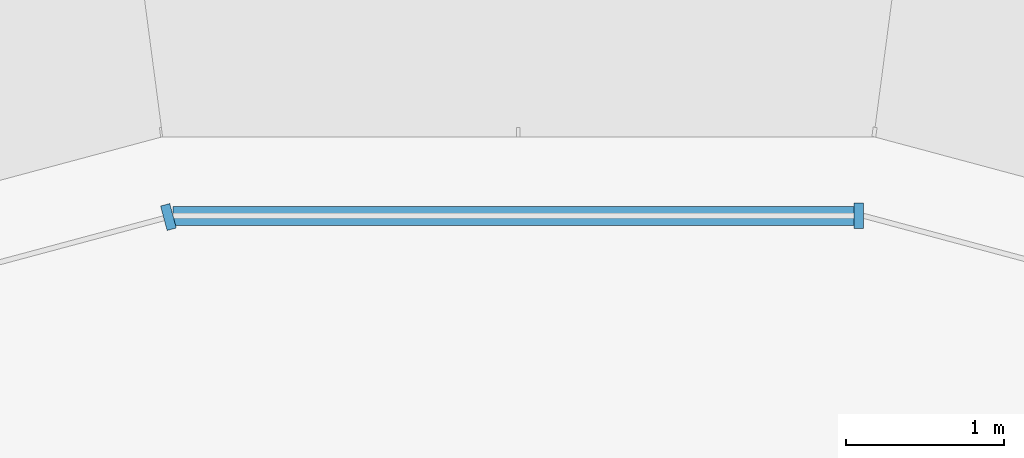
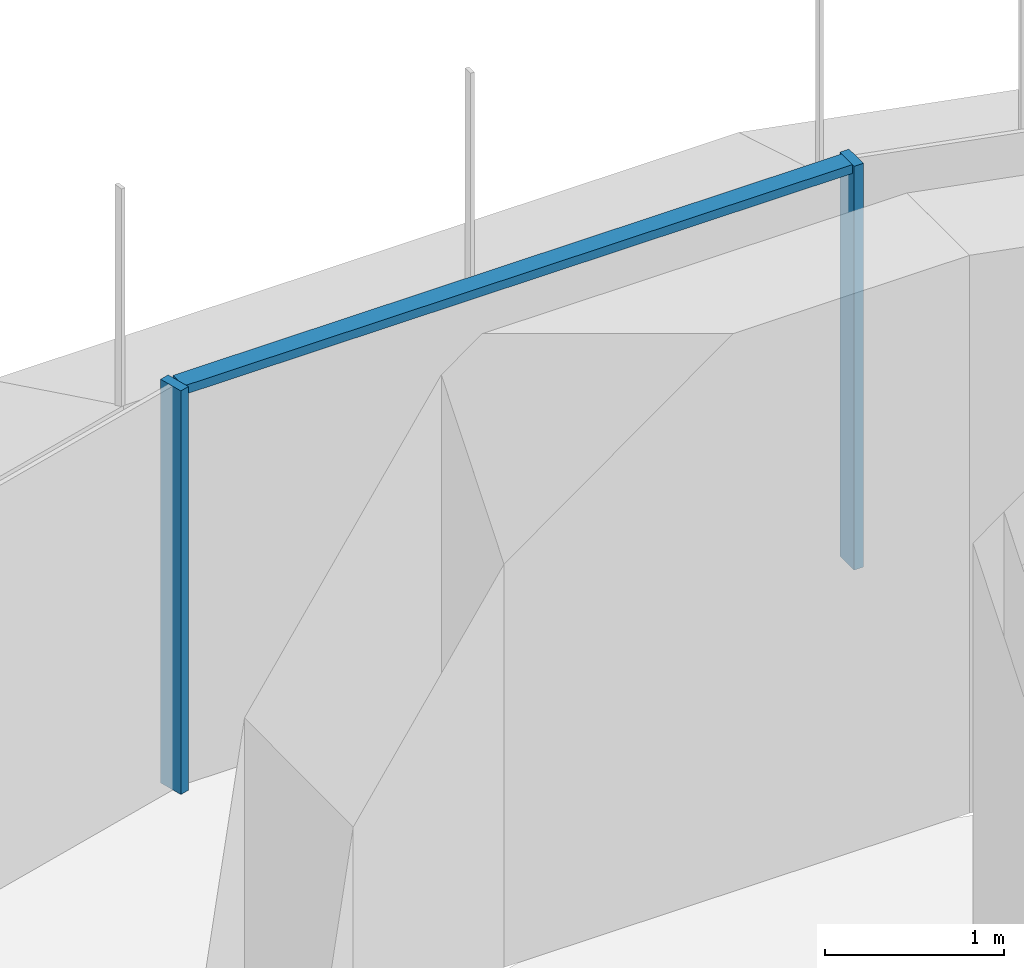
# One storey, part 11 of 20: 3 members, 2 elements without a shape of their own.
"""IFC4 building model written with IfcOpenShell, lengths in metres."""

from ifc_helpers import new_model, si_unit, direction, frame, origin, place, context, subcontext, project, spatial, polyline, outline, extrude, source, transform, mapped, material, type_object, element, aggregate, save


model = new_model("IFC4")

# Units and contexts
model_context = context("Model", 3, precision=1e-05, world=origin(), true_north=direction((0.0, 1.0)))
body_context = subcontext(model_context, "Body", "Model", "MODEL_VIEW")
ifc_project = project(units=[si_unit("LENGTHUNIT", "METRE"), si_unit("AREAUNIT", "SQUARE_METRE"), si_unit("VOLUMEUNIT", "CUBIC_METRE"), si_unit("PLANEANGLEUNIT", "RADIAN"), si_unit("MASSUNIT", "GRAM", prefix="KILO")], contexts=[model_context])

# Site, building, storey
site_placement = place(None, origin())
site = spatial("IfcSite", under=ifc_project, at=site_placement, CompositionType="ELEMENT")
building_placement = place(site_placement, origin())
building = spatial("IfcBuilding", under=site, at=building_placement, Name="Zarbagh Exchange Tower", CompositionType="ELEMENT")
storey_placement = place(building_placement, frame((0.0, 0.0, 141.0)))
storey = spatial("IfcBuildingStorey", under=building, at=storey_placement, Name="L33", CompositionType="ELEMENT", Elevation=141.0)

# Curtain wall, member
ifc_material_1 = material(Name="Anodised aluminium frame and glazing", Category="aluminium")
curtain_wall_type = type_object("IfcCurtainWallType", Name="CWB Ribbon glazing, upper zones", PredefinedType="NOTDEFINED", material=ifc_material_1)
curtain_wall_1_placement = place(storey_placement, origin())
curtain_wall_1 = element("IfcCurtainWall", 1, at=curtain_wall_1_placement, inside=storey, type_object=curtain_wall_type, Name="CWB24 curtain wall", PredefinedType="NOTDEFINED")
ifc_material_2 = material(Name="Anodised aluminium frame", Category="aluminium")
member_type_1 = type_object("IfcMemberType", Name="MUB Mullion, anodised aluminium frame", PredefinedType="MULLION", material=ifc_material_2)
shared_shape_1 = source(origin(), body_context, "Body", "SweptSolid", [
    extrude(outline(polyline([(0.0, -0.080078125), (0.06005859375, -0.080078125), (0.06005859375, 0.080078125), (0.0, 0.080078125), (0.0, -0.080078125)])), origin(), (0.0, 0.0, 1.0), 2.75),
])
placement = place(storey_placement, origin())
member_1 = element("IfcMember", 2, at=placement, type_object=member_type_1, Name="CWB24 mullion 1.1", PredefinedType="MULLION", context=body_context, shape_type="MappedRepresentation", body=[
    mapped(shared_shape_1, transform((2.18408203125, 31.0, 0.0), x_axis=(-1.0, 0.0, 0.0), y_axis=(0.0, -1.0, 0.0), z_axis=(0.0, 0.0, 1.0))),
])

curtain_wall_2_placement = place(storey_placement, origin())
curtain_wall_2 = element("IfcCurtainWall", 3, at=curtain_wall_2_placement, inside=storey, type_object=curtain_wall_type, Name="CWB25 curtain wall", PredefinedType="NOTDEFINED")
member_2 = element("IfcMember", 4, at=placement, type_object=member_type_1, Name="CWB25 mullion 1.1", PredefinedType="MULLION", context=body_context, shape_type="MappedRepresentation", body=[
    mapped(shared_shape_1, transform((-2.18408203125, 31.0, 0.0), x_axis=(-0.965924289636, -0.258824779902, 0.0), y_axis=(0.258824779902, -0.965924289636, 0.0), z_axis=(0.0, 0.0, 1.0))),
])
aggregate(curtain_wall_2, [member_2])

# Member
member_type_2 = type_object("IfcMemberType", Name="TRB Transom, anodised aluminium frame", PredefinedType="USERDEFINED", material=ifc_material_2)
shared_shape_2 = source(origin(), body_context, "Body", "SweptSolid", [
    extrude(outline(polyline([(-0.06005859375, -0.06005859375), (0.0, -0.06005859375), (0.0, 0.06005859375), (-0.06005859375, 0.06005859375), (-0.06005859375, -0.06005859375)])), origin(), (0.0, 0.0, 1.0), 4.308349609375),
])
member_3 = element("IfcMember", 5, at=placement, type_object=member_type_2, Name="CWB24 transom 1.1", ObjectType="TRANSOM", PredefinedType="USERDEFINED", context=body_context, shape_type="MappedRepresentation", body=[
    mapped(shared_shape_2, transform((2.124267578125, 31.0, 2.75), x_axis=(0.0, 0.0, 1.0), y_axis=(0.0, 1.0, 0.0), z_axis=(-1.0, 0.0, 0.0))),
])

aggregate(curtain_wall_1, [member_1, member_3])

save(model, "model.ifc")
